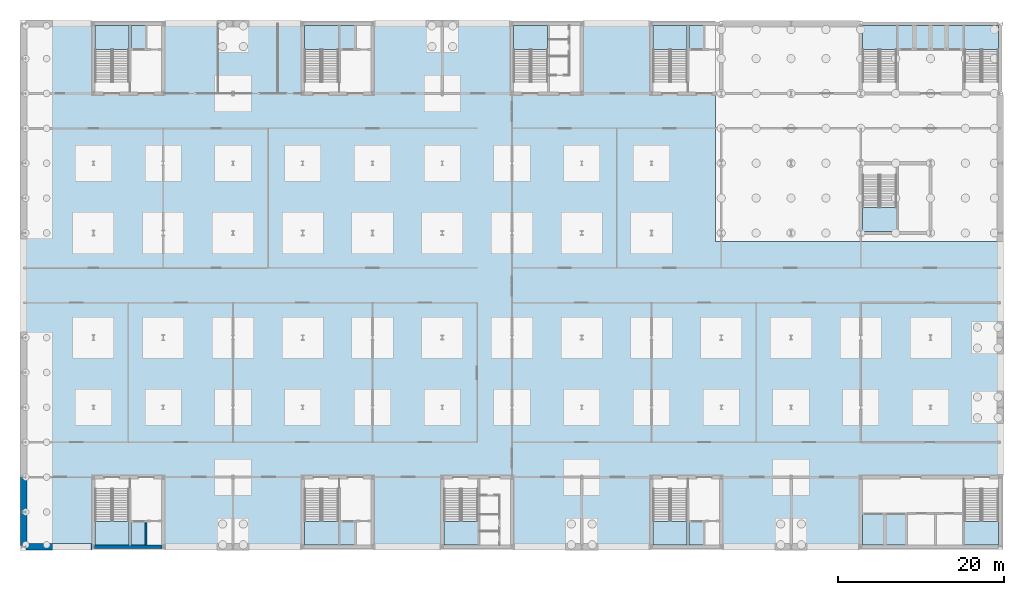
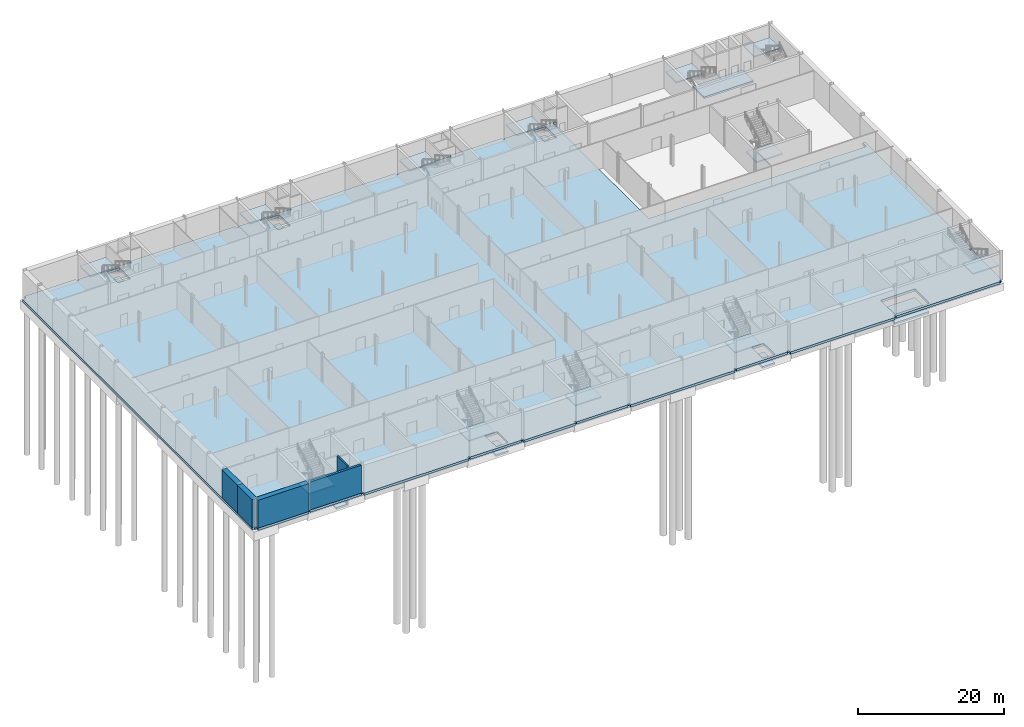
# One storey, part 11 of 22: 21 slabs, 5 walls, 12 elements without a shape of their own.
"""IFC4 building model written with IfcOpenShell, lengths in metres."""

from ifc_helpers import new_model, si_unit, direction, frame, frame_2d, origin, place, context, subcontext, project, spatial, polyline, rectangle, outline, extrude, material, layer, layer_set, type_object, element, aggregate, save


model = new_model("IFC4")

# Units and contexts
model_context = context("Model", 3, precision=1e-05, world=origin(), true_north=direction((0.0, 1.0)))
body_context = subcontext(model_context, "Body", "Model", "MODEL_VIEW")
ifc_project = project(units=[si_unit("LENGTHUNIT", "METRE"), si_unit("AREAUNIT", "SQUARE_METRE"), si_unit("VOLUMEUNIT", "CUBIC_METRE"), si_unit("PLANEANGLEUNIT", "RADIAN"), si_unit("MASSUNIT", "GRAM", prefix="KILO")], contexts=[model_context])

# Site, building, storey
site_placement = place(None, origin())
site = spatial("IfcSite", under=ifc_project, at=site_placement, CompositionType="ELEMENT")
building_placement = place(site_placement, origin())
building = spatial("IfcBuilding", under=site, at=building_placement, Name="Galleria Vessillo Department Store", CompositionType="ELEMENT")
storey_placement = place(building_placement, frame((0.0, 0.0, -9.89990234375)))
storey = spatial("IfcBuildingStorey", under=building, at=storey_placement, Name="B2", CompositionType="ELEMENT", Elevation=-9.89990234375)

# Slabs
ifc_material_1 = material(Name="Concrete C32/40 reinforced", Category="concrete")
ifc_layer_1 = layer(ifc_material_1, 0.300048828125)
ifc_layer_set_1 = layer_set([ifc_layer_1], Name="Concrete C32/40 reinforced")
slab_type_1 = type_object("IfcSlabType", Name="Lift pit floor slab 0.3 m", PredefinedType="BASESLAB", material=ifc_layer_set_1)
slab_1_placement = place(storey_placement, frame((0.0, 0.0, -1.7001953125)))
element("IfcSlab", 1, at=slab_1_placement, inside=storey, type_object=slab_type_1, Name="S-PIT-PC-SW", PredefinedType="BASESLAB", context=body_context, shape_type="SweptSolid", body=[
    extrude(outline(polyline([(12.89990234375, 0.199951171875), (14.85009765625, 0.199951171875), (14.85009765625, 3.199951171875), (12.89990234375, 3.199951171875), (12.89990234375, 0.199951171875)])), origin(), (0.0, 0.0, 1.0), 0.300048828125),
])
slab_2_placement = place(storey_placement, frame((0.0, 0.0, -1.7001953125)))
element("IfcSlab", 2, at=slab_2_placement, inside=storey, type_object=slab_type_1, Name="S-PIT-PC-NW", PredefinedType="BASESLAB", context=body_context, shape_type="SweptSolid", body=[
    extrude(outline(polyline([(12.89990234375, 59.800048828125), (14.85009765625, 59.800048828125), (14.85009765625, 62.800048828125), (12.89990234375, 62.800048828125), (12.89990234375, 59.800048828125)])), origin(), (0.0, 0.0, 1.0), 0.300048828125),
])
slab_3_placement = place(storey_placement, frame((0.0, 0.0, -1.7001953125)))
element("IfcSlab", 3, at=slab_3_placement, inside=storey, type_object=slab_type_1, Name="S-PIT-PC-SM", PredefinedType="BASESLAB", context=body_context, shape_type="SweptSolid", body=[
    extrude(outline(polyline([(38.10009765625, 0.199951171875), (40.050048828125, 0.199951171875), (40.050048828125, 3.199951171875), (38.10009765625, 3.199951171875), (38.10009765625, 0.199951171875)])), origin(), (0.0, 0.0, 1.0), 0.300048828125),
])
slab_4_placement = place(storey_placement, frame((0.0, 0.0, -1.7001953125)))
element("IfcSlab", 4, at=slab_4_placement, inside=storey, type_object=slab_type_1, Name="S-PIT-PC-NM", PredefinedType="BASESLAB", context=body_context, shape_type="SweptSolid", body=[
    extrude(outline(polyline([(38.10009765625, 59.800048828125), (40.050048828125, 59.800048828125), (40.050048828125, 62.800048828125), (38.10009765625, 62.800048828125), (38.10009765625, 59.800048828125)])), origin(), (0.0, 0.0, 1.0), 0.300048828125),
])
slab_5_placement = place(storey_placement, frame((0.0, 0.0, -1.7001953125)))
element("IfcSlab", 5, at=slab_5_placement, inside=storey, type_object=slab_type_1, Name="S-PIT-PC-SE", PredefinedType="BASESLAB", context=body_context, shape_type="SweptSolid", body=[
    extrude(outline(polyline([(80.10009765625, 0.199951171875), (82.050048828125, 0.199951171875), (82.050048828125, 3.199951171875), (80.10009765625, 3.199951171875), (80.10009765625, 0.199951171875)])), origin(), (0.0, 0.0, 1.0), 0.300048828125),
])
slab_6_placement = place(storey_placement, frame((0.0, 0.0, -1.7001953125)))
element("IfcSlab", 6, at=slab_6_placement, inside=storey, type_object=slab_type_1, Name="S-PIT-PC-NE", PredefinedType="BASESLAB", context=body_context, shape_type="SweptSolid", body=[
    extrude(outline(polyline([(80.10009765625, 59.800048828125), (82.050048828125, 59.800048828125), (82.050048828125, 62.800048828125), (80.10009765625, 62.800048828125), (80.10009765625, 59.800048828125)])), origin(), (0.0, 0.0, 1.0), 0.300048828125),
])
slab_7_placement = place(storey_placement, frame((0.0, 0.0, -1.7001953125)))
element("IfcSlab", 7, at=slab_7_placement, inside=storey, type_object=slab_type_1, Name="S-PIT-GC", PredefinedType="BASESLAB", context=body_context, shape_type="SweptSolid", body=[
    extrude(outline(polyline([(101.0, 0.199951171875), (106.39990234375, 0.199951171875), (106.39990234375, 4.10009765625), (101.0, 4.10009765625), (101.0, 0.199951171875)])), origin(), (0.0, 0.0, 1.0), 0.300048828125),
])
slab_8_placement = place(storey_placement, frame((0.0, 0.0, -1.7001953125)))
element("IfcSlab", 8, at=slab_8_placement, inside=storey, type_object=slab_type_1, Name="S-PIT-TC", PredefinedType="BASESLAB", context=body_context, shape_type="SweptSolid", body=[
    extrude(outline(polyline([(105.300048828125, 59.800048828125), (113.10009765625, 59.800048828125), (113.10009765625, 62.800048828125), (105.300048828125, 62.800048828125), (105.300048828125, 59.800048828125)])), origin(), (0.0, 0.0, 1.0), 0.300048828125),
])
ifc_material_2 = material(Name="Concrete C32/40 reinforced", Category="concrete")
ifc_layer_2 = layer(ifc_material_2, 0.39990234375)
ifc_layer_set_2 = layer_set([ifc_layer_2], Name="Concrete C32/40 reinforced")
slab_type_2 = type_object("IfcSlabType", Name="Reinforced concrete base slab 400 mm", PredefinedType="BASESLAB", material=ifc_layer_set_2)
slab_9_placement = place(storey_placement, frame((0.0, 0.0, -0.39990234375)))
element("IfcSlab", 9, at=slab_9_placement, inside=storey, type_object=slab_type_2, Name="S-SLAB-B2-BASESLAB", PredefinedType="BASESLAB", context=body_context, shape_type="SweptSolid", body=[
    extrude(outline(polyline([(8.5498046875, 0.0), (8.25, 0.0), (8.25, -0.39990234375), (0.25, -0.39990234375), (0.25, 0.0), (0.0, 0.0), (0.0, 0.14990234375), (-0.39990234375, 0.14990234375), (-0.39990234375, 62.85009765625), (0.0, 62.85009765625), (0.0, 63.0), (0.25, 63.0), (0.25, 63.39990234375), (8.25, 63.39990234375), (8.25, 63.0), (8.5498046875, 63.0), (8.5498046875, 63.199951171875), (16.650146484375, 63.199951171875), (16.650146484375, 63.0), (16.949951171875, 63.0), (16.949951171875, 63.39990234375), (33.4501953125, 63.39990234375), (33.4501953125, 63.0), (33.75, 63.0), (33.75, 63.199951171875), (41.85009765625, 63.199951171875), (41.85009765625, 63.0), (42.14990234375, 63.0), (42.14990234375, 63.39990234375), (58.650146484375, 63.39990234375), (58.650146484375, 63.0), (58.949951171875, 63.0), (58.949951171875, 63.199951171875), (67.050048828125, 63.199951171875), (67.050048828125, 63.0), (67.349853515625, 63.0), (67.349853515625, 63.39990234375), (75.4501953125, 63.39990234375), (75.4501953125, 63.0), (75.75, 63.0), (75.75, 63.199951171875), (83.846923828125, 63.199951171875), (83.846923828125, 63.00048828125), (83.299560546875, 63.00048828125), (83.299560546875, 36.799560546875), (117.6005859375, 36.799560546875), (117.6005859375, 37.800048828125), (118.0, 37.800048828125), (118.0, 8.5498046875), (117.60009765625, 8.5498046875), (117.60009765625, 8.25), (117.800048828125, 8.25), (117.800048828125, 0.14990234375), (117.60009765625, 0.14990234375), (117.60009765625, 0.0), (117.35009765625, 0.0), (117.35009765625, -0.199951171875), (100.949951171875, -0.199951171875), (100.949951171875, 0.0), (100.650146484375, 0.0), (100.650146484375, -0.39990234375), (84.14990234375, -0.39990234375), (84.14990234375, 0.0), (83.85009765625, 0.0), (83.85009765625, -0.199951171875), (75.75, -0.199951171875), (75.75, 0.0), (75.4501953125, 0.0), (75.4501953125, -0.39990234375), (58.949951171875, -0.39990234375), (58.949951171875, 0.0), (58.650146484375, 0.0), (58.650146484375, -0.199951171875), (50.5498046875, -0.199951171875), (50.5498046875, 0.0), (50.25, 0.0), (50.25, -0.39990234375), (42.14990234375, -0.39990234375), (42.14990234375, 0.0), (41.85009765625, 0.0), (41.85009765625, -0.199951171875), (33.75, -0.199951171875), (33.75, 0.0), (33.4501953125, 0.0), (33.4501953125, -0.39990234375), (16.949951171875, -0.39990234375), (16.949951171875, 0.0), (16.650146484375, 0.0), (16.650146484375, -0.199951171875), (8.5498046875, -0.199951171875), (8.5498046875, 0.0)]), holes=[polyline([(14.85009765625, 0.199951171875), (14.85009765625, 3.199951171875), (12.89990234375, 3.199951171875), (12.89990234375, 0.199951171875), (14.85009765625, 0.199951171875)]), polyline([(14.85009765625, 59.800048828125), (14.85009765625, 62.800048828125), (12.89990234375, 62.800048828125), (12.89990234375, 59.800048828125), (14.85009765625, 59.800048828125)]), polyline([(40.050048828125, 0.199951171875), (40.050048828125, 3.199951171875), (38.10009765625, 3.199951171875), (38.10009765625, 0.199951171875), (40.050048828125, 0.199951171875)]), polyline([(40.050048828125, 59.800048828125), (40.050048828125, 62.800048828125), (38.10009765625, 62.800048828125), (38.10009765625, 59.800048828125), (40.050048828125, 59.800048828125)]), polyline([(82.050048828125, 0.199951171875), (82.050048828125, 3.199951171875), (80.10009765625, 3.199951171875), (80.10009765625, 0.199951171875), (82.050048828125, 0.199951171875)]), polyline([(82.050048828125, 59.800048828125), (82.050048828125, 62.800048828125), (80.10009765625, 62.800048828125), (80.10009765625, 59.800048828125), (82.050048828125, 59.800048828125)]), polyline([(106.39990234375, 0.199951171875), (106.39990234375, 4.10009765625), (101.0, 4.10009765625), (101.0, 0.199951171875), (106.39990234375, 0.199951171875)])]), origin(), (0.0, 0.0, 1.0), 0.39990234375),
])

# Stair, slab
ifc_material_3 = material(Name="Concrete C32/40", Category="concrete")
stair_type = type_object("IfcStairType", Name="Half-turn escape stair 2000 mm, 30 risers of 167 mm", PredefinedType="HALF_TURN_STAIR", material=ifc_material_3)
stair_1_placement = place(storey_placement, origin())
stair_1 = element("IfcStair", 10, at=stair_1_placement, inside=storey, type_object=stair_type, Name="Stair ST1 B2", PredefinedType="HALF_TURN_STAIR")
ifc_material_4 = material(Name="Concrete C32/40", Category="concrete")
ifc_layer_3 = layer(ifc_material_4, 0.199951171875)
ifc_layer_set_3 = layer_set([ifc_layer_3], Name="Concrete C32/40")
slab_type_3 = type_object("IfcSlabType", Name="Stair half landing 4100 x 2880 mm", PredefinedType="LANDING", material=ifc_layer_set_3)
slab_10_placement = place(storey_placement, frame((0.0, 0.0, 2.300048828125)))
slab_10 = element("IfcSlab", 11, at=slab_10_placement, type_object=slab_type_3, Name="ST1 landing 1", PredefinedType="LANDING", context=body_context, shape_type="SweptSolid", body=[
    extrude(outline(polyline([(8.599853515625, 0.199951171875), (8.599853515625, 3.080078125), (12.699951171875, 3.080078125), (12.699951171875, 0.199951171875), (8.599853515625, 0.199951171875)])), origin(), (0.0, 0.0, 1.0), 0.199951171875),
])
aggregate(stair_1, [slab_10])

stair_2_placement = place(storey_placement, origin())
stair_2 = element("IfcStair", 12, at=stair_2_placement, inside=storey, type_object=stair_type, Name="Stair ST2 B2", PredefinedType="HALF_TURN_STAIR")
slab_11_placement = place(storey_placement, frame((0.0, 0.0, 2.300048828125)))
slab_11 = element("IfcSlab", 13, at=slab_11_placement, type_object=slab_type_3, Name="ST2 landing 1", PredefinedType="LANDING", context=body_context, shape_type="SweptSolid", body=[
    extrude(outline(polyline([(8.599853515625, 59.919921875), (8.599853515625, 62.800048828125), (12.699951171875, 62.800048828125), (12.699951171875, 59.919921875), (8.599853515625, 59.919921875)])), origin(), (0.0, 0.0, 1.0), 0.199951171875),
])
aggregate(stair_2, [slab_11])

stair_3_placement = place(storey_placement, origin())
stair_3 = element("IfcStair", 14, at=stair_3_placement, inside=storey, type_object=stair_type, Name="Stair ST3 B2", PredefinedType="HALF_TURN_STAIR")
slab_12_placement = place(storey_placement, frame((0.0, 0.0, 2.300048828125)))
slab_12 = element("IfcSlab", 15, at=slab_12_placement, type_object=slab_type_3, Name="ST3 landing 1", PredefinedType="LANDING", context=body_context, shape_type="SweptSolid", body=[
    extrude(outline(polyline([(33.800048828125, 0.199951171875), (33.800048828125, 3.080078125), (37.900146484375, 3.080078125), (37.900146484375, 0.199951171875), (33.800048828125, 0.199951171875)])), origin(), (0.0, 0.0, 1.0), 0.199951171875),
])
aggregate(stair_3, [slab_12])

stair_4_placement = place(storey_placement, origin())
stair_4 = element("IfcStair", 16, at=stair_4_placement, inside=storey, type_object=stair_type, Name="Stair ST4 B2", PredefinedType="HALF_TURN_STAIR")
slab_13_placement = place(storey_placement, frame((0.0, 0.0, 2.300048828125)))
slab_13 = element("IfcSlab", 17, at=slab_13_placement, type_object=slab_type_3, Name="ST4 landing 1", PredefinedType="LANDING", context=body_context, shape_type="SweptSolid", body=[
    extrude(outline(polyline([(33.800048828125, 59.919921875), (33.800048828125, 62.800048828125), (37.900146484375, 62.800048828125), (37.900146484375, 59.919921875), (33.800048828125, 59.919921875)])), origin(), (0.0, 0.0, 1.0), 0.199951171875),
])
aggregate(stair_4, [slab_13])

stair_5_placement = place(storey_placement, origin())
stair_5 = element("IfcStair", 18, at=stair_5_placement, inside=storey, type_object=stair_type, Name="Stair ST5 B2", PredefinedType="HALF_TURN_STAIR")
slab_14_placement = place(storey_placement, frame((0.0, 0.0, 2.300048828125)))
slab_14 = element("IfcSlab", 19, at=slab_14_placement, type_object=slab_type_3, Name="ST5 landing 1", PredefinedType="LANDING", context=body_context, shape_type="SweptSolid", body=[
    extrude(outline(polyline([(75.800048828125, 0.199951171875), (75.800048828125, 3.080078125), (79.900146484375, 3.080078125), (79.900146484375, 0.199951171875), (75.800048828125, 0.199951171875)])), origin(), (0.0, 0.0, 1.0), 0.199951171875),
])
aggregate(stair_5, [slab_14])

stair_6_placement = place(storey_placement, origin())
stair_6 = element("IfcStair", 20, at=stair_6_placement, inside=storey, type_object=stair_type, Name="Stair ST6 B2", PredefinedType="HALF_TURN_STAIR")
slab_15_placement = place(storey_placement, frame((0.0, 0.0, 2.300048828125)))
slab_15 = element("IfcSlab", 21, at=slab_15_placement, type_object=slab_type_3, Name="ST6 landing 1", PredefinedType="LANDING", context=body_context, shape_type="SweptSolid", body=[
    extrude(outline(polyline([(75.800048828125, 59.919921875), (75.800048828125, 62.800048828125), (79.900146484375, 62.800048828125), (79.900146484375, 59.919921875), (75.800048828125, 59.919921875)])), origin(), (0.0, 0.0, 1.0), 0.199951171875),
])
aggregate(stair_6, [slab_15])

stair_7_placement = place(storey_placement, origin())
stair_7 = element("IfcStair", 22, at=stair_7_placement, inside=storey, type_object=stair_type, Name="Stair ST10 B2", PredefinedType="HALF_TURN_STAIR")
slab_16_placement = place(storey_placement, frame((0.0, 0.0, 2.300048828125)))
slab_16 = element("IfcSlab", 23, at=slab_16_placement, type_object=slab_type_3, Name="ST10 landing 1", PredefinedType="LANDING", context=body_context, shape_type="SweptSolid", body=[
    extrude(outline(polyline([(50.599853515625, 0.199951171875), (50.599853515625, 3.080078125), (54.699951171875, 3.080078125), (54.699951171875, 0.199951171875), (50.599853515625, 0.199951171875)])), origin(), (0.0, 0.0, 1.0), 0.199951171875),
])
aggregate(stair_7, [slab_16])

stair_8_placement = place(storey_placement, origin())
stair_8 = element("IfcStair", 24, at=stair_8_placement, inside=storey, type_object=stair_type, Name="Stair ST11 B2", PredefinedType="HALF_TURN_STAIR")
slab_17_placement = place(storey_placement, frame((0.0, 0.0, 2.300048828125)))
slab_17 = element("IfcSlab", 25, at=slab_17_placement, type_object=slab_type_3, Name="ST11 landing 1", PredefinedType="LANDING", context=body_context, shape_type="SweptSolid", body=[
    extrude(outline(polyline([(59.0, 59.919921875), (59.0, 62.800048828125), (63.10009765625, 62.800048828125), (63.10009765625, 59.919921875), (59.0, 59.919921875)])), origin(), (0.0, 0.0, 1.0), 0.199951171875),
])
aggregate(stair_8, [slab_17])

stair_9_placement = place(storey_placement, origin())
stair_9 = element("IfcStair", 26, at=stair_9_placement, inside=storey, type_object=stair_type, Name="Stair ST7 B2", PredefinedType="HALF_TURN_STAIR")
slab_18_placement = place(storey_placement, frame((0.0, 0.0, 2.300048828125)))
slab_18 = element("IfcSlab", 27, at=slab_18_placement, type_object=slab_type_3, Name="ST7 landing 1", PredefinedType="LANDING", context=body_context, shape_type="SweptSolid", body=[
    extrude(outline(polyline([(113.300048828125, 0.199951171875), (113.300048828125, 3.080078125), (117.400146484375, 3.080078125), (117.400146484375, 0.199951171875), (113.300048828125, 0.199951171875)])), origin(), (0.0, 0.0, 1.0), 0.199951171875),
])
aggregate(stair_9, [slab_18])

stair_10_placement = place(storey_placement, origin())
stair_10 = element("IfcStair", 28, at=stair_10_placement, inside=storey, type_object=stair_type, Name="Stair ST8 B2", PredefinedType="HALF_TURN_STAIR")
slab_19_placement = place(storey_placement, frame((0.0, 0.0, 2.300048828125)))
slab_19 = element("IfcSlab", 29, at=slab_19_placement, type_object=slab_type_3, Name="ST8 landing 1", PredefinedType="LANDING", context=body_context, shape_type="SweptSolid", body=[
    extrude(outline(polyline([(101.0, 59.919921875), (101.0, 62.800048828125), (105.10009765625, 62.800048828125), (105.10009765625, 59.919921875), (101.0, 59.919921875)])), origin(), (0.0, 0.0, 1.0), 0.199951171875),
])
aggregate(stair_10, [slab_19])

stair_11_placement = place(storey_placement, origin())
stair_11 = element("IfcStair", 30, at=stair_11_placement, inside=storey, type_object=stair_type, Name="Stair ST9 B2", PredefinedType="HALF_TURN_STAIR")
slab_20_placement = place(storey_placement, frame((0.0, 0.0, 2.300048828125)))
slab_20 = element("IfcSlab", 31, at=slab_20_placement, type_object=slab_type_3, Name="ST9 landing 1", PredefinedType="LANDING", context=body_context, shape_type="SweptSolid", body=[
    extrude(outline(polyline([(113.300048828125, 59.919921875), (113.300048828125, 62.800048828125), (117.400146484375, 62.800048828125), (117.400146484375, 59.919921875), (113.300048828125, 59.919921875)])), origin(), (0.0, 0.0, 1.0), 0.199951171875),
])
aggregate(stair_11, [slab_20])

stair_12_placement = place(storey_placement, origin())
stair_12 = element("IfcStair", 32, at=stair_12_placement, inside=storey, type_object=stair_type, Name="Stair ST12 B2", PredefinedType="HALF_TURN_STAIR")
slab_21_placement = place(storey_placement, frame((0.0, 0.0, 2.300048828125)))
slab_21 = element("IfcSlab", 33, at=slab_21_placement, type_object=slab_type_3, Name="ST12 landing 1", PredefinedType="LANDING", context=body_context, shape_type="SweptSolid", body=[
    extrude(outline(polyline([(101.0, 38.0), (101.0, 40.8798828125), (105.10009765625, 40.8798828125), (105.10009765625, 38.0), (101.0, 38.0)])), origin(), (0.0, 0.0, 1.0), 0.199951171875),
])
aggregate(stair_12, [slab_21])

# Walls
ifc_material_5 = material(Name="Concrete C32/40 reinforced", Category="concrete")
ifc_layer_4 = layer(ifc_material_5, 0.800048828125)
ifc_layer_set_4 = layer_set([ifc_layer_4], Name="Concrete C32/40 reinforced")
wall_type_1 = type_object("IfcWallType", Name="Diaphragm wall 800 mm", PredefinedType="SOLIDWALL", material=ifc_layer_set_4)
wall_1_placement = place(storey_placement, frame((0.25, 0.0, 0.0), z_axis=(0.0, 0.0, 1.0), x_axis=(1.0, 0.0, 0.0)))
element("IfcWall", 34, at=wall_1_placement, inside=storey, type_object=wall_type_1, Name="S-BW-S-B2-01", PredefinedType="SOLIDWALL", context=body_context, shape_type="SweptSolid", body=[
    extrude(rectangle(XDim=8.0, YDim=0.800048828125, at=frame_2d((4.0, 0.0))), origin(), (0.0, 0.0, 1.0), 4.64990234375),
])
wall_2_placement = place(storey_placement, frame((0.0, 0.14990234375, 0.0), z_axis=(0.0, 0.0, 1.0), x_axis=(0.0, 1.0, 0.0)))
element("IfcWall", 35, at=wall_2_placement, inside=storey, type_object=wall_type_1, Name="S-BW-W-B2-01", PredefinedType="SOLIDWALL", context=body_context, shape_type="SweptSolid", body=[
    extrude(rectangle(XDim=4.050048828125, YDim=0.800048828125, at=frame_2d((2.02490234375, 0.0))), origin(), (0.0, 0.0, 1.0), 4.64990234375),
])
wall_3_placement = place(storey_placement, frame((0.0, 4.199951171875, 0.0), z_axis=(0.0, 0.0, 1.0), x_axis=(0.0, 1.0, 0.0)))
element("IfcWall", 36, at=wall_3_placement, inside=storey, type_object=wall_type_1, Name="S-BW-W-B2-02", PredefinedType="SOLIDWALL", context=body_context, shape_type="SweptSolid", body=[
    extrude(rectangle(XDim=4.199951171875, YDim=0.800048828125, at=frame_2d((2.10009765625, 0.0))), origin(), (0.0, 0.0, 1.0), 4.64990234375),
])
ifc_material_6 = material(Name="Solid clay block masonry", Category="masonry")
ifc_layer_5 = layer(ifc_material_6, 0.25)
ifc_layer_set_5 = layer_set([ifc_layer_5], Name="Solid clay block masonry")
wall_type_2 = type_object("IfcWallType", Name="Lift shaft wall 250 mm", PredefinedType="SOLIDWALL", material=ifc_layer_set_5)
wall_4_placement = place(storey_placement, frame((14.72509765625, 0.199951171875, -1.400146484375), z_axis=(0.0, 0.0, 1.0), x_axis=(0.0, 1.0, 0.0)))
element("IfcWall", 37, at=wall_4_placement, inside=storey, type_object=wall_type_2, Name="Lift shaft wall LP1 B2", PredefinedType="SOLIDWALL", context=body_context, shape_type="SweptSolid", body=[
    extrude(rectangle(XDim=2.75, YDim=0.25, at=frame_2d((1.375, 0.0))), origin(), (0.0, 0.0, 1.0), 6.400146484375),
])
ifc_material_7 = material(Name="Concrete C32/40 reinforced", Category="concrete")
ifc_layer_6 = layer(ifc_material_7, 0.39990234375)
ifc_layer_set_6 = layer_set([ifc_layer_6], Name="Concrete C32/40 reinforced")
wall_type_3 = type_object("IfcWallType", Name="Reinforced concrete core wall 400 mm, external", PredefinedType="SHEAR", material=ifc_layer_set_6)
wall_5_placement = place(storey_placement, frame((8.5498046875, 0.0, 0.0), z_axis=(0.0, 0.0, 1.0), x_axis=(1.0, 0.0, 0.0)))
element("IfcWall", 38, at=wall_5_placement, inside=storey, type_object=wall_type_3, Name="S-CW-PC-SW-PARTY-B2", PredefinedType="SHEAR", context=body_context, shape_type="SweptSolid", body=[
    extrude(rectangle(XDim=8.100341796875, YDim=0.39990234375, at=frame_2d((4.05029296875, 0.0))), origin(), (0.0, 0.0, 1.0), 4.64990234375),
])

save(model, "model.ifc")
